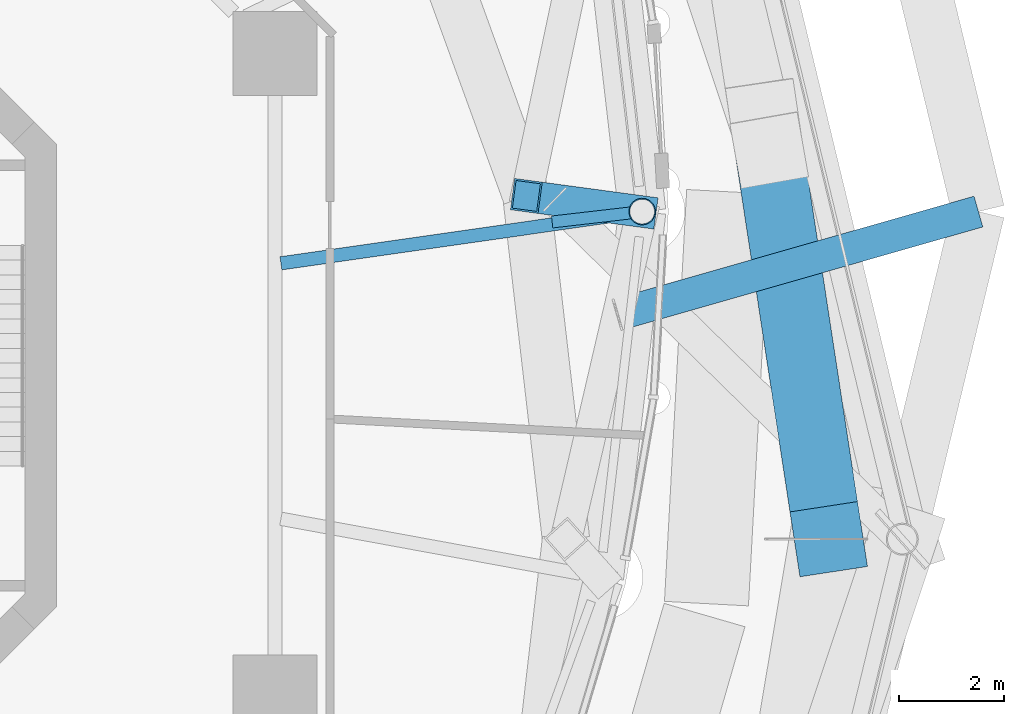
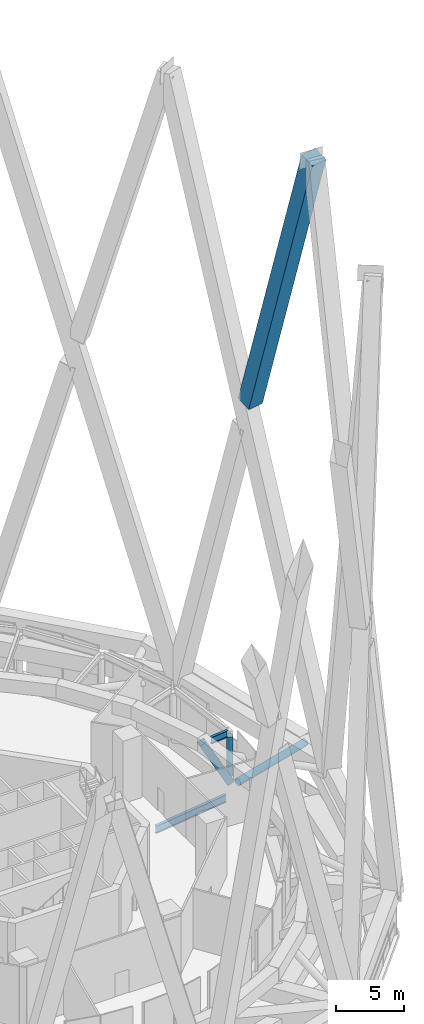
# One storey, part 26 of 48: 3 beams, 3 members.
"""IFC4 building model written with IfcOpenShell, lengths in metres."""

from ifc_helpers import new_model, si_unit, direction, frame, origin, origin_2d, place, context, subcontext, project, spatial, rectangle, hollow_rectangle, hollow_circle, i_section, extrude, material, material_profile, profile_set, type_object, element, save


model = new_model("IFC4")

# Units and contexts
model_context = context("Model", 3, precision=1e-05, world=origin(), true_north=direction((0.0, 1.0)))
body_context = subcontext(model_context, "Body", "Model", "MODEL_VIEW")
ifc_project = project(units=[si_unit("LENGTHUNIT", "METRE"), si_unit("AREAUNIT", "SQUARE_METRE"), si_unit("VOLUMEUNIT", "CUBIC_METRE"), si_unit("PLANEANGLEUNIT", "RADIAN"), si_unit("MASSUNIT", "GRAM", prefix="KILO")], contexts=[model_context])

# Site, building, storey
site_placement = place(None, origin())
site = spatial("IfcSite", under=ifc_project, at=site_placement, CompositionType="ELEMENT")
building_placement = place(site_placement, origin())
building = spatial("IfcBuilding", under=site, at=building_placement, Name="Nagisa Residences", CompositionType="ELEMENT")
storey_placement = place(building_placement, frame((0.0, 0.0, 252.89990234375)))
storey = spatial("IfcBuildingStorey", under=building, at=storey_placement, Name="L64", CompositionType="ELEMENT", Elevation=252.89990234375)

# Beam
ifc_material_1 = material(Name="Steel ASTM A572 Gr 50", Category="steel")
ifc_material_profile_1 = material_profile(ifc_material_1, hollow_rectangle(XDim=0.60009765625, YDim=0.60009765625, WallThickness=0.034912109375, at=origin_2d()), Name="BX 600x600x35")
ifc_profile_set_1 = profile_set([ifc_material_profile_1], Name="Steel ASTM A572 Gr 50")
beam_type_1 = type_object("IfcBeamType", Name="Belt diagonal 5 BX 600x600x35", PredefinedType="BEAM", material=ifc_profile_set_1)
beam_1_placement = place(storey_placement, frame((21.77001953125, 3.11767578125, 0.60009765625), z_axis=(-0.468969763495, 0.063225457203, 0.880948297285), x_axis=(-0.133609009359, -0.991034122832, 0.0)))
element("IfcBeam", 1, at=beam_1_placement, inside=storey, type_object=beam_type_1, Name="beam:L64:bt5db01", PredefinedType="BEAM", context=body_context, shape_type="SweptSolid", body=[
    extrude(hollow_rectangle(XDim=0.60009765625, YDim=0.60009765625, WallThickness=0.034912109375, at=origin_2d()), origin(), (0.0, 0.0, 1.0), 4.699462890625),
])

# Members
ifc_material_2 = material(Name="Concrete C80", Category="concrete")
ifc_material_profile_2 = material_profile(ifc_material_2, rectangle(XDim=1.300048828125, YDim=1.300048828125, at=origin_2d()), Name="C80 1300x1300")
ifc_profile_set_2 = profile_set([ifc_material_profile_2], Name="Concrete C80")
member_type_1 = type_object("IfcMemberType", Name="Cage diagonal 6 C80 1300x1300", PredefinedType="BRACE", material=ifc_profile_set_2)
member_1_placement = place(storey_placement, frame((24.187744140625, 4.28173828125, 33.29443359375), z_axis=(0.041842605025, -0.273429424987, 0.96098155339), x_axis=(0.988492793023, 0.151267967997, 0.0)))
element("IfcMember", 2, at=member_1_placement, inside=storey, type_object=member_type_1, Name="mem:L64:cg6d002b", PredefinedType="BRACE", context=body_context, shape_type="SweptSolid", body=[
    extrude(rectangle(XDim=1.300048828125, YDim=1.300048828125, at=origin_2d()), origin(), (0.0, 0.0, 1.0), 27.0615234375),
])
ifc_material_3 = material(Name="Steel ASTM A572 Gr 65", Category="steel")
ifc_material_profile_3 = material_profile(ifc_material_3, hollow_circle(Radius=0.304931640625, WallThickness=0.02490234375, at=origin_2d()), Name="CHS 610x25")
ifc_profile_set_3 = profile_set([ifc_material_profile_3], Name="Steel ASTM A572 Gr 65")
member_type_2 = type_object("IfcMemberType", Name="Cage strut CHS 610x25", PredefinedType="STRUT", material=ifc_profile_set_3)
member_2_placement = place(storey_placement, frame((28.169921875, 3.11767578125, 1.900146484375), z_axis=(-0.96154720451, -0.274639715808, 0.0), x_axis=(0.274639715808, -0.96154720451, 0.0)))
element("IfcMember", 3, at=member_2_placement, inside=storey, type_object=member_type_2, Name="mem:L64:bt5st5a01", PredefinedType="STRUT", context=body_context, shape_type="SweptSolid", body=[
    extrude(hollow_circle(Radius=0.304931640625, WallThickness=0.02490234375, at=origin_2d()), origin(), (0.0, 0.0, 1.0), 7.12939453125),
])
ifc_material_4 = material(Name="Steel ASTM A572 Gr 65", Category="steel")
ifc_material_profile_4 = material_profile(ifc_material_4, hollow_circle(Radius=0.25390625, WallThickness=0.02001953125, at=origin_2d()), Name="CHS 508x20")
ifc_profile_set_4 = profile_set([ifc_material_profile_4], Name="Steel ASTM A572 Gr 65")
member_type_3 = type_object("IfcMemberType", Name="Garden edge post CHS 508x20", PredefinedType="POST", material=ifc_profile_set_4)
member_3_placement = place(storey_placement, frame((21.77001953125, 3.11767578125, 1.2001953125), z_axis=(0.0, 0.0, 1.0), x_axis=(1.0, 0.0, 0.0)))
element("IfcMember", 4, at=member_3_placement, inside=storey, type_object=member_type_3, Name="mem:L64:gp501", PredefinedType="POST", context=body_context, shape_type="SweptSolid", body=[
    extrude(hollow_circle(Radius=0.25390625, WallThickness=0.02001953125, at=origin_2d()), origin(), (0.0, 0.0, 1.0), 3.536865234375),
])

# Beams
ifc_material_5 = material(Name="Steel ASTM A572 Gr 50", Category="steel")
ifc_material_profile_5 = material_profile(ifc_material_5, i_section(OverallWidth=0.22802734375, OverallDepth=0.60302734375, WebThickness=0.010498046875, FlangeThickness=0.014892578125, at=origin_2d()), Name="W610x101")
ifc_profile_set_5 = profile_set([ifc_material_profile_5], Name="Steel ASTM A572 Gr 50")
beam_type_2 = type_object("IfcBeamType", Name="Garden radial beam W610x101", PredefinedType="BEAM", material=ifc_profile_set_5)
beam_2_placement = place(storey_placement, frame((21.53759765625, 3.0908203125, 5.03857421875), z_axis=(-0.993411803529, -0.11459925222, 0.0), x_axis=(0.11459925222, -0.993411803529, 0.0)))
element("IfcBeam", 5, at=beam_2_placement, inside=storey, type_object=beam_type_2, Name="beam:L64:bt5gr01", PredefinedType="BEAM", context=body_context, shape_type="SweptSolid", body=[
    extrude(i_section(OverallWidth=0.22802734375, OverallDepth=0.60302734375, WebThickness=0.010498046875, FlangeThickness=0.014892578125, at=origin_2d()), origin(), (0.0, 0.0, 1.0), 1.4912109375),
])
ifc_material_6 = material(Name="Steel ASTM A572 Gr 50", Category="steel")
ifc_material_profile_6 = material_profile(ifc_material_6, i_section(OverallWidth=0.2529296875, OverallDepth=0.677978515625, WebThickness=0.01171875, FlangeThickness=0.016357421875, at=origin_2d()), Name="W690x125")
ifc_profile_set_6 = profile_set([ifc_material_profile_6], Name="Steel ASTM A572 Gr 50")
beam_type_3 = type_object("IfcBeamType", Name="Radial beam W690x125", PredefinedType="BEAM", material=ifc_profile_set_6)
beam_3_placement = place(storey_placement, frame((21.389892578125, 3.063232421875, -0.68896484375), z_axis=(-0.989900318472, -0.141765156119, 0.0), x_axis=(0.141765156119, -0.989900318472, 0.0)))
element("IfcBeam", 6, at=beam_3_placement, inside=storey, type_object=beam_type_3, Name="beam:L64:rb01", PredefinedType="BEAM", context=body_context, shape_type="SweptSolid", body=[
    extrude(i_section(OverallWidth=0.2529296875, OverallDepth=0.677978515625, WebThickness=0.01171875, FlangeThickness=0.016357421875, at=origin_2d()), origin(), (0.0, 0.0, 1.0), 6.561279296875),
])

save(model, "model.ifc")
